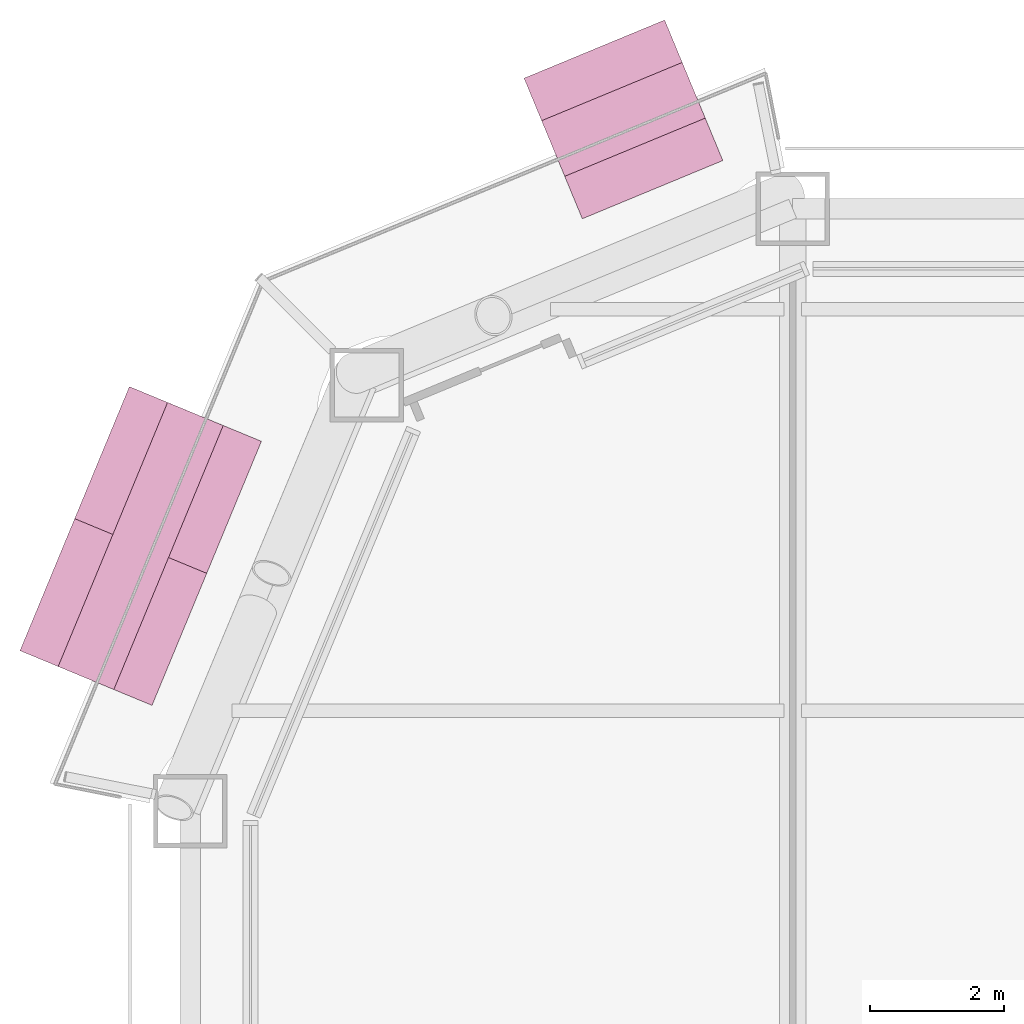
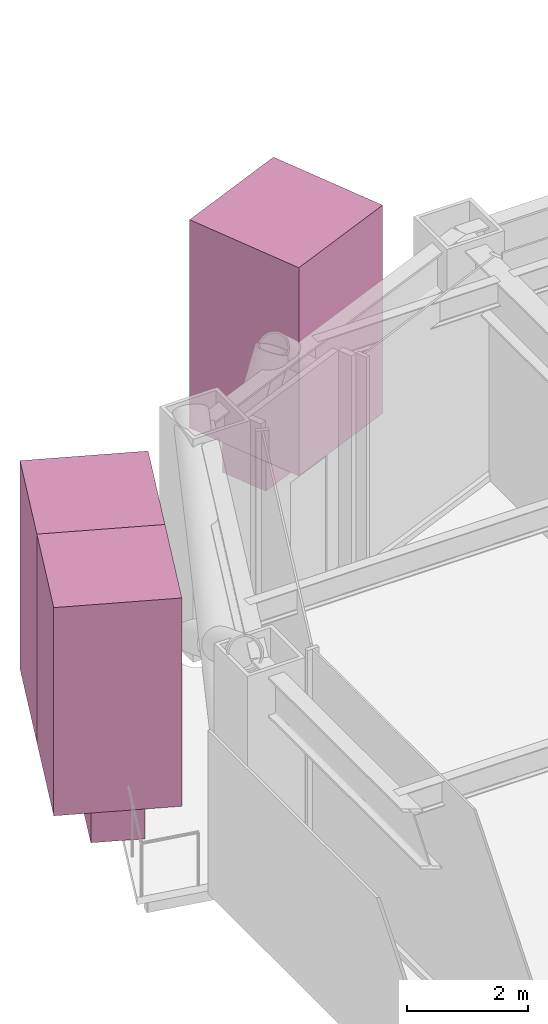
# One storey, part 28 of 28: 5 furnishings.
"""IFC4 building model written with IfcOpenShell, lengths in metres."""

from ifc_helpers import new_model, si_unit, direction, frame, origin, origin_2d, place, context, subcontext, project, spatial, rectangle, extrude, material, type_object, element, save


model = new_model("IFC4")

# Units and contexts
model_context = context("Model", 3, precision=1e-05, world=origin(), true_north=direction((0.0, 1.0)))
body_context = subcontext(model_context, "Body", "Model", "MODEL_VIEW")
ifc_project = project(units=[si_unit("LENGTHUNIT", "METRE"), si_unit("AREAUNIT", "SQUARE_METRE"), si_unit("VOLUMEUNIT", "CUBIC_METRE"), si_unit("PLANEANGLEUNIT", "RADIAN"), si_unit("MASSUNIT", "GRAM", prefix="KILO")], contexts=[model_context])

# Site, building, storey
site_placement = place(None, origin())
site = spatial("IfcSite", under=ifc_project, at=site_placement, CompositionType="ELEMENT")
building_placement = place(site_placement, origin())
building = spatial("IfcBuilding", under=site, at=building_placement, Name="Siwar Civic Tower", CompositionType="ELEMENT")
storey_placement = place(building_placement, frame((0.0, 0.0, 31.199951171875)))
storey = spatial("IfcBuildingStorey", under=building, at=storey_placement, Name="L06", CompositionType="ELEMENT", Elevation=31.199951171875)

# Furnishings
ifc_material_1 = material(Name="Planting soil and foliage")
furnishing_element_type_1 = type_object("IfcFurnishingElementType", Name="ENV-PLANTER", material=ifc_material_1)
furnishing_1_placement = place(storey_placement, frame((-25.0283203125, 32.833984375, 0.0), z_axis=(0.0, 0.0, 1.0), x_axis=(-0.923879532511, -0.382683432365, 0.0)))
element("IfcFurnishingElement", 1, at=furnishing_1_placement, inside=storey, type_object=furnishing_element_type_1, Name="PLANTER NW 1", context=body_context, shape_type="SweptSolid", body=[
    extrude(rectangle(XDim=2.273193359375, YDim=0.89990234375, at=origin_2d()), origin(), (0.0, 0.0, 1.0), 0.60009765625),
])
furnishing_2_placement = place(storey_placement, frame((-32.240966796875, 26.460205078125, 0.0), z_axis=(0.0, 0.0, 1.0), x_axis=(-0.382683432365, -0.923879532511, 0.0)))
element("IfcFurnishingElement", 2, at=furnishing_2_placement, inside=storey, type_object=furnishing_element_type_1, Name="PLANTER NW 2", context=body_context, shape_type="SweptSolid", body=[
    extrude(rectangle(XDim=4.270751953125, YDim=0.89990234375, at=origin_2d()), origin(), (0.0, 0.0, 1.0), 0.60009765625),
])
ifc_material_2 = material(Name="Planting soil and foliage")
furnishing_element_type_2 = type_object("IfcFurnishingElementType", Name="ENV-TREE", material=ifc_material_2)
furnishing_3_placement = place(storey_placement, frame((-25.0283203125, 32.833984375, 0.60009765625), z_axis=(0.0, 0.0, 1.0), x_axis=(-0.923879532511, -0.382683432365, 0.0)))
element("IfcFurnishingElement", 3, at=furnishing_3_placement, inside=storey, type_object=furnishing_element_type_2, Name="PLANTER (TREE) NW 1.1", context=body_context, shape_type="SweptSolid", body=[
    extrude(rectangle(XDim=2.273193359375, YDim=2.273193359375, at=origin_2d()), origin(), (0.0, 0.0, 1.0), 4.199951171875),
])
for number, where, z_axis, x_axis, name in (
    (4, (-31.832275390625, 27.44677734375, 0.60009765625), (0.0, 0.0, 1.0), (-0.382683432365, -0.923879532511, 0.0), "PLANTER (TREE) NW 2.1"),
    (5, (-32.6494140625, 25.473876953125, 0.60009765625), (0.0, 0.0, 1.0), (-0.382683432365, -0.923879532511, 0.0), "PLANTER (TREE) NW 2.2"),
):
    element("IfcFurnishingElement", number, at=place(storey_placement, frame(where, z_axis=z_axis, x_axis=x_axis)), inside=storey, type_object=furnishing_element_type_2, Name=name, context=body_context, shape_type="SweptSolid", body=[
        extrude(rectangle(XDim=2.13525390625, YDim=2.13525390625, at=origin_2d()), origin(), (0.0, 0.0, 1.0), 4.199951171875),
    ])

save(model, "model.ifc")
